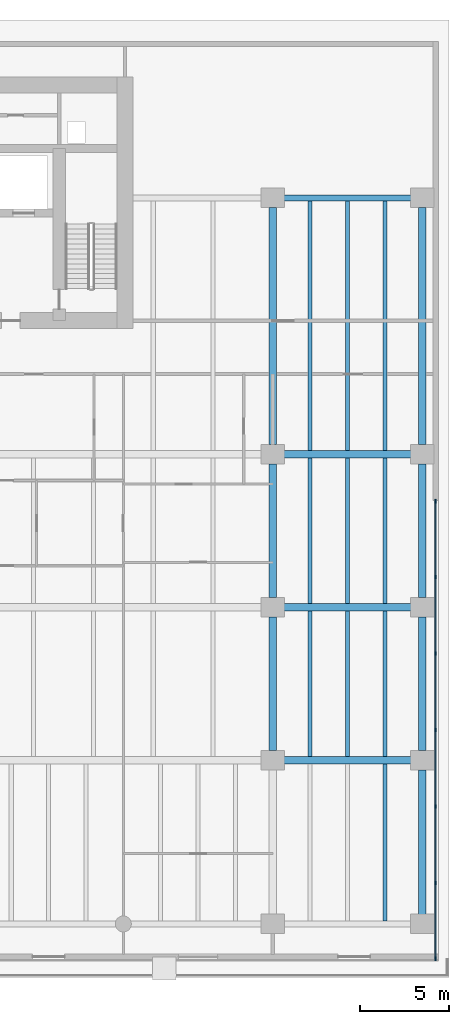
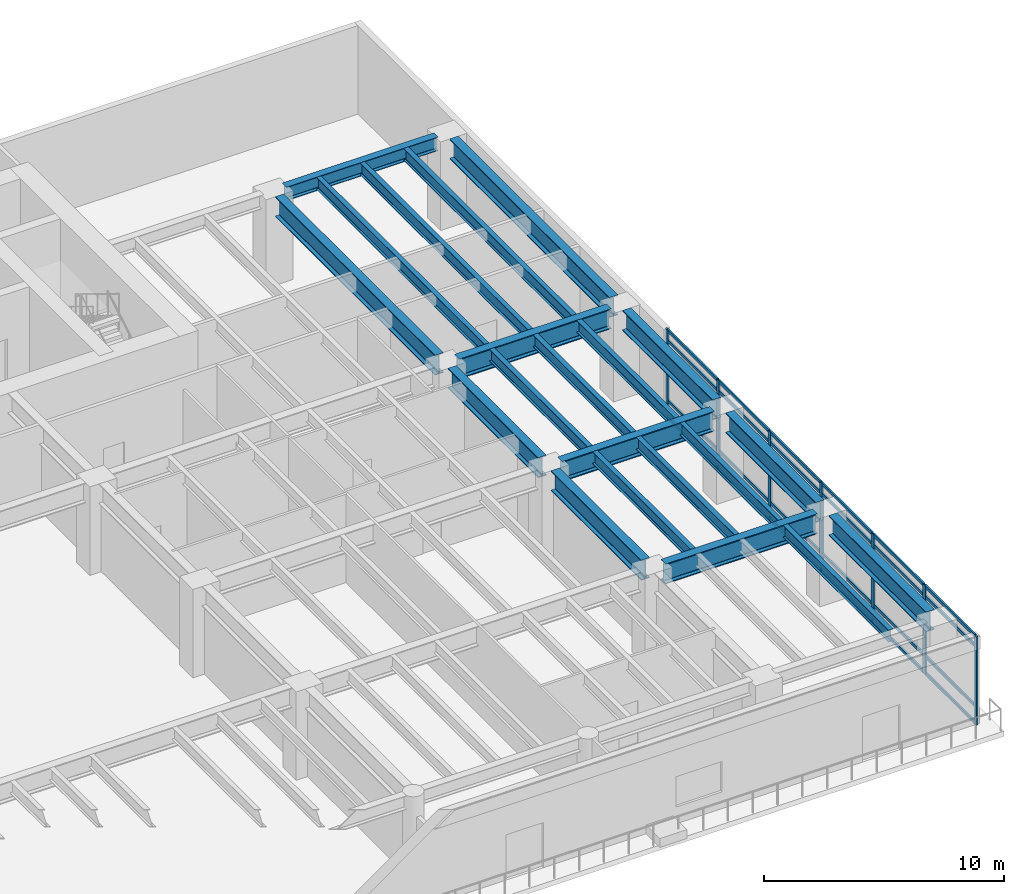
# One storey, part 4 of 17: 31 members, 21 beams, 1 element without a shape of its own.
"""IFC4 building model written with IfcOpenShell, lengths in metres."""

from ifc_helpers import new_model, si_unit, direction, frame, origin, origin_2d, place, context, subcontext, project, spatial, rectangle, i_section, extrude, material, layer, layer_set, material_profile, profile_set, type_object, element, aggregate, save


model = new_model("IFC4")

# Units and contexts
model_context = context("Model", 3, precision=1e-05, world=origin(), true_north=direction((0.0, 1.0)))
body_context = subcontext(model_context, "Body", "Model", "MODEL_VIEW")
ifc_project = project(units=[si_unit("LENGTHUNIT", "METRE"), si_unit("AREAUNIT", "SQUARE_METRE"), si_unit("VOLUMEUNIT", "CUBIC_METRE"), si_unit("PLANEANGLEUNIT", "RADIAN"), si_unit("MASSUNIT", "GRAM", prefix="KILO")], contexts=[model_context])

# Site, building, storey
site_placement = place(None, origin())
site = spatial("IfcSite", under=ifc_project, at=site_placement, CompositionType="ELEMENT")
building_placement = place(site_placement, origin())
building = spatial("IfcBuilding", under=site, at=building_placement, Name="Caelmar Bay Residences", CompositionType="ELEMENT")
storey_placement = place(building_placement, frame((0.0, 0.0, 10.199951171875)))
storey = spatial("IfcBuildingStorey", under=building, at=storey_placement, Name="L02", CompositionType="ELEMENT", Elevation=10.199951171875)

# Beams
ifc_material_1 = material(Name="Steel ASTM A992 Grade 50", Category="steel")
ifc_material_profile_1 = material_profile(ifc_material_1, i_section(OverallWidth=0.404052734375, OverallDepth=1.02099609375, WebThickness=0.025390625, FlangeThickness=0.0458984375, FilletRadius=0.02294921875, at=origin_2d()), Name="W40X324")
ifc_profile_set_1 = profile_set([ifc_material_profile_1], Name="Steel ASTM A992 Grade 50")
beam_type_1 = type_object("IfcBeamType", Name="BM-GRD-W40X324", PredefinedType="BEAM", material=ifc_profile_set_1)
for number, where, z_axis, x_axis, name in (
    (1, (68.43994140625, 12.199951171875, 3.989501953125), (1.0, 0.0, 0.0), (0.0, 1.0, 0.0), "L02 East-West Girder Y=12.20 (67.9-76.3)"),
    (2, (68.43994140625, 20.800048828125, 3.989501953125), (1.0, 0.0, 0.0), (0.0, 1.0, 0.0), "L02 East-West Girder Y=20.80 (67.9-76.3)"),
    (3, (68.43994140625, 29.39990234375, 3.989501953125), (1.0, 0.0, 0.0), (0.0, 1.0, 0.0), "L02 East-West Girder Y=29.40 (67.9-76.3)"),
):
    element("IfcBeam", number, at=place(storey_placement, frame(where, z_axis=z_axis, x_axis=x_axis)), inside=storey, type_object=beam_type_1, Name=name, PredefinedType="BEAM", context=body_context, shape_type="SweptSolid", body=[
        extrude(i_section(OverallWidth=0.404052734375, OverallDepth=1.02099609375, WebThickness=0.025390625, FlangeThickness=0.0458984375, FilletRadius=0.02294921875, at=origin_2d()), origin(), (0.0, 0.0, 1.0), 7.320068359375),
    ])
for number, where, z_axis, x_axis, name in (
    (4, (67.89990234375, 12.739990234375, 3.989501953125), (0.0, 1.0, 0.0), (-1.0, 0.0, 0.0), "L02 North-South Girder X=67.90 (12.2-20.8)"),
    (5, (67.89990234375, 21.340087890625, 3.989501953125), (0.0, 1.0, 0.0), (-1.0, 0.0, 0.0), "L02 North-South Girder X=67.90 (20.8-29.4)"),
):
    element("IfcBeam", number, at=place(storey_placement, frame(where, z_axis=z_axis, x_axis=x_axis)), inside=storey, type_object=beam_type_1, Name=name, PredefinedType="BEAM", context=body_context, shape_type="SweptSolid", body=[
        extrude(i_section(OverallWidth=0.404052734375, OverallDepth=1.02099609375, WebThickness=0.025390625, FlangeThickness=0.0458984375, FilletRadius=0.02294921875, at=origin_2d()), origin(), (0.0, 0.0, 1.0), 7.52001953125),
    ])
beam_1_placement = place(storey_placement, frame((67.89990234375, 29.93994140625, 3.989501953125), z_axis=(0.0, 1.0, 0.0), x_axis=(-1.0, 0.0, 0.0)))
element("IfcBeam", 6, at=beam_1_placement, inside=storey, type_object=beam_type_1, Name="L02 North-South Girder X=67.90 (29.4-43.8)", PredefinedType="BEAM", context=body_context, shape_type="SweptSolid", body=[
    extrude(i_section(OverallWidth=0.404052734375, OverallDepth=1.02099609375, WebThickness=0.025390625, FlangeThickness=0.0458984375, FilletRadius=0.02294921875, at=origin_2d()), origin(), (0.0, 0.0, 1.0), 13.320068359375),
])
beam_2_placement = place(storey_placement, frame((76.300048828125, 3.5400390625, 3.989501953125), z_axis=(0.0, 1.0, 0.0), x_axis=(-1.0, 0.0, 0.0)))
element("IfcBeam", 7, at=beam_2_placement, inside=storey, type_object=beam_type_1, Name="L02 North-South Girder X=76.30 (3.0-12.2)", PredefinedType="BEAM", context=body_context, shape_type="SweptSolid", body=[
    extrude(i_section(OverallWidth=0.404052734375, OverallDepth=1.02099609375, WebThickness=0.025390625, FlangeThickness=0.0458984375, FilletRadius=0.02294921875, at=origin_2d()), origin(), (0.0, 0.0, 1.0), 8.119873046875),
])
for number, where, z_axis, x_axis, name in (
    (8, (76.300048828125, 12.739990234375, 3.989501953125), (0.0, 1.0, 0.0), (-1.0, 0.0, 0.0), "L02 North-South Girder X=76.30 (12.2-20.8)"),
    (9, (76.300048828125, 21.340087890625, 3.989501953125), (0.0, 1.0, 0.0), (-1.0, 0.0, 0.0), "L02 North-South Girder X=76.30 (20.8-29.4)"),
):
    element("IfcBeam", number, at=place(storey_placement, frame(where, z_axis=z_axis, x_axis=x_axis)), inside=storey, type_object=beam_type_1, Name=name, PredefinedType="BEAM", context=body_context, shape_type="SweptSolid", body=[
        extrude(i_section(OverallWidth=0.404052734375, OverallDepth=1.02099609375, WebThickness=0.025390625, FlangeThickness=0.0458984375, FilletRadius=0.02294921875, at=origin_2d()), origin(), (0.0, 0.0, 1.0), 7.52001953125),
    ])
beam_3_placement = place(storey_placement, frame((76.300048828125, 29.93994140625, 3.989501953125), z_axis=(0.0, 1.0, 0.0), x_axis=(-1.0, 0.0, 0.0)))
element("IfcBeam", 10, at=beam_3_placement, inside=storey, type_object=beam_type_1, Name="L02 North-South Girder X=76.30 (29.4-43.8)", PredefinedType="BEAM", context=body_context, shape_type="SweptSolid", body=[
    extrude(i_section(OverallWidth=0.404052734375, OverallDepth=1.02099609375, WebThickness=0.025390625, FlangeThickness=0.0458984375, FilletRadius=0.02294921875, at=origin_2d()), origin(), (0.0, 0.0, 1.0), 13.320068359375),
])
ifc_material_profile_2 = material_profile(ifc_material_1, i_section(OverallWidth=0.22900390625, OverallDepth=0.612060546875, WebThickness=0.011962890625, FlangeThickness=0.01953125, FilletRadius=0.0126953125, at=origin_2d()), Name="W24X84")
ifc_profile_set_2 = profile_set([ifc_material_profile_2], Name="Steel ASTM A992 Grade 50")
beam_type_2 = type_object("IfcBeamType", Name="BM-JST-W24X84", PredefinedType="JOIST", material=ifc_profile_set_2)
beam_4_placement = place(storey_placement, frame((74.199951171875, 3.177978515625, 4.194091796875), z_axis=(0.0, 1.0, 0.0), x_axis=(-1.0, 0.0, 0.0)))
element("IfcBeam", 11, at=beam_4_placement, inside=storey, type_object=beam_type_2, Name="L02 Composite Floor Joist 27", PredefinedType="JOIST", context=body_context, shape_type="SweptSolid", body=[
    extrude(i_section(OverallWidth=0.22900390625, OverallDepth=0.612060546875, WebThickness=0.011962890625, FlangeThickness=0.01953125, FilletRadius=0.0126953125, at=origin_2d()), origin(), (0.0, 0.0, 1.0), 8.820068359375),
])
for number, where, z_axis, x_axis, name in (
    (12, (70.0, 12.402099609375, 4.194091796875), (0.0, 1.0, 0.0), (-1.0, 0.0, 0.0), "L02 Composite Floor Joist 39"),
    (13, (72.10009765625, 12.402099609375, 4.194091796875), (0.0, 1.0, 0.0), (-1.0, 0.0, 0.0), "L02 Composite Floor Joist 40"),
    (14, (74.199951171875, 12.402099609375, 4.194091796875), (0.0, 1.0, 0.0), (-1.0, 0.0, 0.0), "L02 Composite Floor Joist 41"),
):
    element("IfcBeam", number, at=place(storey_placement, frame(where, z_axis=z_axis, x_axis=x_axis)), inside=storey, type_object=beam_type_2, Name=name, PredefinedType="JOIST", context=body_context, shape_type="SweptSolid", body=[
        extrude(i_section(OverallWidth=0.22900390625, OverallDepth=0.612060546875, WebThickness=0.011962890625, FlangeThickness=0.01953125, FilletRadius=0.0126953125, at=origin_2d()), origin(), (0.0, 0.0, 1.0), 8.19580078125),
    ])
for number, where, z_axis, x_axis, name in (
    (15, (70.0, 21.001953125, 4.194091796875), (0.0, 1.0, 0.0), (-1.0, 0.0, 0.0), "L02 Composite Floor Joist 53"),
    (16, (72.10009765625, 21.001953125, 4.194091796875), (0.0, 1.0, 0.0), (-1.0, 0.0, 0.0), "L02 Composite Floor Joist 54"),
    (17, (74.199951171875, 21.001953125, 4.194091796875), (0.0, 1.0, 0.0), (-1.0, 0.0, 0.0), "L02 Composite Floor Joist 55"),
):
    element("IfcBeam", number, at=place(storey_placement, frame(where, z_axis=z_axis, x_axis=x_axis)), inside=storey, type_object=beam_type_2, Name=name, PredefinedType="JOIST", context=body_context, shape_type="SweptSolid", body=[
        extrude(i_section(OverallWidth=0.22900390625, OverallDepth=0.612060546875, WebThickness=0.011962890625, FlangeThickness=0.01953125, FilletRadius=0.0126953125, at=origin_2d()), origin(), (0.0, 0.0, 1.0), 8.196044921875),
    ])
for number, where, z_axis, x_axis, name in (
    (18, (70.0, 29.60205078125, 4.194091796875), (0.0, 1.0, 0.0), (-1.0, 0.0, 0.0), "L02 Composite Floor Joist 64"),
    (19, (72.10009765625, 29.60205078125, 4.194091796875), (0.0, 1.0, 0.0), (-1.0, 0.0, 0.0), "L02 Composite Floor Joist 65"),
    (20, (74.199951171875, 29.60205078125, 4.194091796875), (0.0, 1.0, 0.0), (-1.0, 0.0, 0.0), "L02 Composite Floor Joist 66"),
):
    element("IfcBeam", number, at=place(storey_placement, frame(where, z_axis=z_axis, x_axis=x_axis)), inside=storey, type_object=beam_type_2, Name=name, PredefinedType="JOIST", context=body_context, shape_type="SweptSolid", body=[
        extrude(i_section(OverallWidth=0.22900390625, OverallDepth=0.612060546875, WebThickness=0.011962890625, FlangeThickness=0.01953125, FilletRadius=0.0126953125, at=origin_2d()), origin(), (0.0, 0.0, 1.0), 14.02001953125),
    ])
ifc_material_profile_3 = material_profile(ifc_material_1, i_section(OverallWidth=0.35595703125, OverallDepth=0.696044921875, WebThickness=0.015380859375, FlangeThickness=0.02490234375, FilletRadius=0.01513671875, at=origin_2d()), Name="W27X146")
ifc_profile_set_3 = profile_set([ifc_material_profile_3], Name="Steel ASTM A992 Grade 50")
beam_type_3 = type_object("IfcBeamType", Name="BM-SPN-W27X146", PredefinedType="SPANDREL", material=ifc_profile_set_3)
beam_5_placement = place(storey_placement, frame((68.43994140625, 43.800048828125, 4.152099609375), z_axis=(1.0, 0.0, 0.0), x_axis=(0.0, 1.0, 0.0)))
element("IfcBeam", 21, at=beam_5_placement, inside=storey, type_object=beam_type_3, Name="L02 East-West Girder Y=43.80 (67.9-76.3)", PredefinedType="SPANDREL", context=body_context, shape_type="SweptSolid", body=[
    extrude(i_section(OverallWidth=0.35595703125, OverallDepth=0.696044921875, WebThickness=0.015380859375, FlangeThickness=0.02490234375, FilletRadius=0.01513671875, at=origin_2d()), origin(), (0.0, 0.0, 1.0), 7.320068359375),
])

# Curtain wall, members
ifc_material_2 = material(Name="Anodised bronze aluminium 6063-T6 and laminated glass", Category="aluminium")
ifc_layer = layer(ifc_material_2, 0.179931640625)
ifc_layer_set = layer_set([ifc_layer], Name="Anodised bronze aluminium 6063-T6 and laminated glass")
curtain_wall_type = type_object("IfcCurtainWallType", Name="CW1-POD", PredefinedType="NOTDEFINED", material=ifc_layer_set)
curtain_wall_placement = place(storey_placement, origin())
curtain_wall = element("IfcCurtainWall", 22, at=curtain_wall_placement, inside=storey, type_object=curtain_wall_type, Name="CW1 curtain wall L02", PredefinedType="NOTDEFINED")
ifc_material_3 = material(Name="Anodised bronze aluminium 6063-T6", Category="aluminium")
ifc_material_profile_4 = material_profile(ifc_material_3, rectangle(XDim=0.080078125, YDim=0.219970703125, at=origin_2d()), Name="CWM-80X220")
ifc_profile_set_4 = profile_set([ifc_material_profile_4], Name="Anodised bronze aluminium 6063-T6")
member_type_1 = type_object("IfcMemberType", Name="CWM-220", PredefinedType="MULLION", material=ifc_profile_set_4)
member_1_placement = place(storey_placement, frame((77.050048828125, 26.760009765625, 0.0), z_axis=(0.0, 0.0, 1.0), x_axis=(1.0, 0.0, 0.0)))
member_1 = element("IfcMember", 23, at=member_1_placement, type_object=member_type_1, Name="CW1 mullion 1", PredefinedType="MULLION", context=body_context, shape_type="SweptSolid", body=[
    extrude(rectangle(XDim=0.080078125, YDim=0.219970703125, at=origin_2d()), origin(), (0.0, 0.0, 1.0), 4.5),
])
member_2_placement = place(storey_placement, frame((77.050048828125, 22.5, 0.0), z_axis=(0.0, 0.0, 1.0), x_axis=(1.0, 0.0, 0.0)))
member_2 = element("IfcMember", 24, at=member_2_placement, type_object=member_type_1, Name="CW1 mullion 2", PredefinedType="MULLION", context=body_context, shape_type="SweptSolid", body=[
    extrude(rectangle(XDim=0.080078125, YDim=0.219970703125, at=origin_2d()), origin(), (0.0, 0.0, 1.0), 4.5),
])
member_3_placement = place(storey_placement, frame((77.050048828125, 18.199951171875, 0.0), z_axis=(0.0, 0.0, 1.0), x_axis=(1.0, 0.0, 0.0)))
member_3 = element("IfcMember", 25, at=member_3_placement, type_object=member_type_1, Name="CW1 mullion 3", PredefinedType="MULLION", context=body_context, shape_type="SweptSolid", body=[
    extrude(rectangle(XDim=0.080078125, YDim=0.219970703125, at=origin_2d()), origin(), (0.0, 0.0, 1.0), 4.5),
])
member_4_placement = place(storey_placement, frame((77.050048828125, 13.89990234375, 0.0), z_axis=(0.0, 0.0, 1.0), x_axis=(1.0, 0.0, 0.0)))
member_4 = element("IfcMember", 26, at=member_4_placement, type_object=member_type_1, Name="CW1 mullion 4", PredefinedType="MULLION", context=body_context, shape_type="SweptSolid", body=[
    extrude(rectangle(XDim=0.080078125, YDim=0.219970703125, at=origin_2d()), origin(), (0.0, 0.0, 1.0), 4.5),
])
member_5_placement = place(storey_placement, frame((77.050048828125, 9.60009765625, 0.0), z_axis=(0.0, 0.0, 1.0), x_axis=(1.0, 0.0, 0.0)))
member_5 = element("IfcMember", 27, at=member_5_placement, type_object=member_type_1, Name="CW1 mullion 5", PredefinedType="MULLION", context=body_context, shape_type="SweptSolid", body=[
    extrude(rectangle(XDim=0.080078125, YDim=0.219970703125, at=origin_2d()), origin(), (0.0, 0.0, 1.0), 4.5),
])
member_6_placement = place(storey_placement, frame((77.050048828125, 5.300048828125, 0.0), z_axis=(0.0, 0.0, 1.0), x_axis=(1.0, 0.0, 0.0)))
member_6 = element("IfcMember", 28, at=member_6_placement, type_object=member_type_1, Name="CW1 mullion 6", PredefinedType="MULLION", context=body_context, shape_type="SweptSolid", body=[
    extrude(rectangle(XDim=0.080078125, YDim=0.219970703125, at=origin_2d()), origin(), (0.0, 0.0, 1.0), 4.5),
])
member_7_placement = place(storey_placement, frame((77.050048828125, 1.0400390625, 0.0), z_axis=(0.0, 0.0, 1.0), x_axis=(1.0, 0.0, 0.0)))
member_7 = element("IfcMember", 29, at=member_7_placement, type_object=member_type_1, Name="CW1 mullion 7", PredefinedType="MULLION", context=body_context, shape_type="SweptSolid", body=[
    extrude(rectangle(XDim=0.080078125, YDim=0.219970703125, at=origin_2d()), origin(), (0.0, 0.0, 1.0), 4.5),
])
ifc_material_profile_5 = material_profile(ifc_material_3, rectangle(XDim=0.080078125, YDim=0.159912109375, at=origin_2d()), Name="CWT-80X160")
ifc_profile_set_5 = profile_set([ifc_material_profile_5], Name="Anodised bronze aluminium 6063-T6")
member_type_2 = type_object("IfcMemberType", Name="CWT-160", PredefinedType="NOTDEFINED", material=ifc_profile_set_5)
member_8_placement = place(storey_placement, frame((77.050048828125, 26.719970703125, 0.0400390625), z_axis=(0.0, -1.0, 0.0), x_axis=(1.0, 0.0, 0.0)))
member_8 = element("IfcMember", 30, at=member_8_placement, type_object=member_type_2, Name="CW1 transom 1.1", ObjectType="TRANSOM", PredefinedType="USERDEFINED", context=body_context, shape_type="SweptSolid", body=[
    extrude(rectangle(XDim=0.080078125, YDim=0.159912109375, at=origin_2d()), origin(), (0.0, 0.0, 1.0), 4.179931640625),
])
member_9_placement = place(storey_placement, frame((77.050048828125, 26.719970703125, 0.900146484375), z_axis=(0.0, -1.0, 0.0), x_axis=(1.0, 0.0, 0.0)))
member_9 = element("IfcMember", 31, at=member_9_placement, type_object=member_type_2, Name="CW1 transom 1.2", ObjectType="TRANSOM", PredefinedType="USERDEFINED", context=body_context, shape_type="SweptSolid", body=[
    extrude(rectangle(XDim=0.080078125, YDim=0.159912109375, at=origin_2d()), origin(), (0.0, 0.0, 1.0), 4.179931640625),
])
member_10_placement = place(storey_placement, frame((77.050048828125, 26.719970703125, 3.949951171875), z_axis=(0.0, -1.0, 0.0), x_axis=(1.0, 0.0, 0.0)))
member_10 = element("IfcMember", 32, at=member_10_placement, type_object=member_type_2, Name="CW1 transom 1.3", ObjectType="TRANSOM", PredefinedType="USERDEFINED", context=body_context, shape_type="SweptSolid", body=[
    extrude(rectangle(XDim=0.080078125, YDim=0.159912109375, at=origin_2d()), origin(), (0.0, 0.0, 1.0), 4.179931640625),
])
member_11_placement = place(storey_placement, frame((77.050048828125, 26.719970703125, 4.4599609375), z_axis=(0.0, -1.0, 0.0), x_axis=(1.0, 0.0, 0.0)))
member_11 = element("IfcMember", 33, at=member_11_placement, type_object=member_type_2, Name="CW1 transom 1.4", ObjectType="TRANSOM", PredefinedType="USERDEFINED", context=body_context, shape_type="SweptSolid", body=[
    extrude(rectangle(XDim=0.080078125, YDim=0.159912109375, at=origin_2d()), origin(), (0.0, 0.0, 1.0), 4.179931640625),
])
member_12_placement = place(storey_placement, frame((77.050048828125, 22.4599609375, 0.0400390625), z_axis=(0.0, -1.0, 0.0), x_axis=(1.0, 0.0, 0.0)))
member_12 = element("IfcMember", 34, at=member_12_placement, type_object=member_type_2, Name="CW1 transom 2.1", ObjectType="TRANSOM", PredefinedType="USERDEFINED", context=body_context, shape_type="SweptSolid", body=[
    extrude(rectangle(XDim=0.080078125, YDim=0.159912109375, at=origin_2d()), origin(), (0.0, 0.0, 1.0), 4.219970703125),
])
member_13_placement = place(storey_placement, frame((77.050048828125, 22.4599609375, 0.900146484375), z_axis=(0.0, -1.0, 0.0), x_axis=(1.0, 0.0, 0.0)))
member_13 = element("IfcMember", 35, at=member_13_placement, type_object=member_type_2, Name="CW1 transom 2.2", ObjectType="TRANSOM", PredefinedType="USERDEFINED", context=body_context, shape_type="SweptSolid", body=[
    extrude(rectangle(XDim=0.080078125, YDim=0.159912109375, at=origin_2d()), origin(), (0.0, 0.0, 1.0), 4.219970703125),
])
member_14_placement = place(storey_placement, frame((77.050048828125, 22.4599609375, 3.949951171875), z_axis=(0.0, -1.0, 0.0), x_axis=(1.0, 0.0, 0.0)))
member_14 = element("IfcMember", 36, at=member_14_placement, type_object=member_type_2, Name="CW1 transom 2.3", ObjectType="TRANSOM", PredefinedType="USERDEFINED", context=body_context, shape_type="SweptSolid", body=[
    extrude(rectangle(XDim=0.080078125, YDim=0.159912109375, at=origin_2d()), origin(), (0.0, 0.0, 1.0), 4.219970703125),
])
member_15_placement = place(storey_placement, frame((77.050048828125, 22.4599609375, 4.4599609375), z_axis=(0.0, -1.0, 0.0), x_axis=(1.0, 0.0, 0.0)))
member_15 = element("IfcMember", 37, at=member_15_placement, type_object=member_type_2, Name="CW1 transom 2.4", ObjectType="TRANSOM", PredefinedType="USERDEFINED", context=body_context, shape_type="SweptSolid", body=[
    extrude(rectangle(XDim=0.080078125, YDim=0.159912109375, at=origin_2d()), origin(), (0.0, 0.0, 1.0), 4.219970703125),
])
member_16_placement = place(storey_placement, frame((77.050048828125, 18.159912109375, 0.0400390625), z_axis=(0.0, -1.0, 0.0), x_axis=(1.0, 0.0, 0.0)))
member_16 = element("IfcMember", 38, at=member_16_placement, type_object=member_type_2, Name="CW1 transom 3.1", ObjectType="TRANSOM", PredefinedType="USERDEFINED", context=body_context, shape_type="SweptSolid", body=[
    extrude(rectangle(XDim=0.080078125, YDim=0.159912109375, at=origin_2d()), origin(), (0.0, 0.0, 1.0), 4.219970703125),
])
member_17_placement = place(storey_placement, frame((77.050048828125, 18.159912109375, 0.900146484375), z_axis=(0.0, -1.0, 0.0), x_axis=(1.0, 0.0, 0.0)))
member_17 = element("IfcMember", 39, at=member_17_placement, type_object=member_type_2, Name="CW1 transom 3.2", ObjectType="TRANSOM", PredefinedType="USERDEFINED", context=body_context, shape_type="SweptSolid", body=[
    extrude(rectangle(XDim=0.080078125, YDim=0.159912109375, at=origin_2d()), origin(), (0.0, 0.0, 1.0), 4.219970703125),
])
member_18_placement = place(storey_placement, frame((77.050048828125, 18.159912109375, 3.949951171875), z_axis=(0.0, -1.0, 0.0), x_axis=(1.0, 0.0, 0.0)))
member_18 = element("IfcMember", 40, at=member_18_placement, type_object=member_type_2, Name="CW1 transom 3.3", ObjectType="TRANSOM", PredefinedType="USERDEFINED", context=body_context, shape_type="SweptSolid", body=[
    extrude(rectangle(XDim=0.080078125, YDim=0.159912109375, at=origin_2d()), origin(), (0.0, 0.0, 1.0), 4.219970703125),
])
member_19_placement = place(storey_placement, frame((77.050048828125, 18.159912109375, 4.4599609375), z_axis=(0.0, -1.0, 0.0), x_axis=(1.0, 0.0, 0.0)))
member_19 = element("IfcMember", 41, at=member_19_placement, type_object=member_type_2, Name="CW1 transom 3.4", ObjectType="TRANSOM", PredefinedType="USERDEFINED", context=body_context, shape_type="SweptSolid", body=[
    extrude(rectangle(XDim=0.080078125, YDim=0.159912109375, at=origin_2d()), origin(), (0.0, 0.0, 1.0), 4.219970703125),
])
member_20_placement = place(storey_placement, frame((77.050048828125, 13.860107421875, 0.0400390625), z_axis=(0.0, -1.0, 0.0), x_axis=(1.0, 0.0, 0.0)))
member_20 = element("IfcMember", 42, at=member_20_placement, type_object=member_type_2, Name="CW1 transom 4.1", ObjectType="TRANSOM", PredefinedType="USERDEFINED", context=body_context, shape_type="SweptSolid", body=[
    extrude(rectangle(XDim=0.080078125, YDim=0.159912109375, at=origin_2d()), origin(), (0.0, 0.0, 1.0), 4.22021484375),
])
member_21_placement = place(storey_placement, frame((77.050048828125, 13.860107421875, 0.900146484375), z_axis=(0.0, -1.0, 0.0), x_axis=(1.0, 0.0, 0.0)))
member_21 = element("IfcMember", 43, at=member_21_placement, type_object=member_type_2, Name="CW1 transom 4.2", ObjectType="TRANSOM", PredefinedType="USERDEFINED", context=body_context, shape_type="SweptSolid", body=[
    extrude(rectangle(XDim=0.080078125, YDim=0.159912109375, at=origin_2d()), origin(), (0.0, 0.0, 1.0), 4.22021484375),
])
member_22_placement = place(storey_placement, frame((77.050048828125, 13.860107421875, 3.949951171875), z_axis=(0.0, -1.0, 0.0), x_axis=(1.0, 0.0, 0.0)))
member_22 = element("IfcMember", 44, at=member_22_placement, type_object=member_type_2, Name="CW1 transom 4.3", ObjectType="TRANSOM", PredefinedType="USERDEFINED", context=body_context, shape_type="SweptSolid", body=[
    extrude(rectangle(XDim=0.080078125, YDim=0.159912109375, at=origin_2d()), origin(), (0.0, 0.0, 1.0), 4.22021484375),
])
member_23_placement = place(storey_placement, frame((77.050048828125, 13.860107421875, 4.4599609375), z_axis=(0.0, -1.0, 0.0), x_axis=(1.0, 0.0, 0.0)))
member_23 = element("IfcMember", 45, at=member_23_placement, type_object=member_type_2, Name="CW1 transom 4.4", ObjectType="TRANSOM", PredefinedType="USERDEFINED", context=body_context, shape_type="SweptSolid", body=[
    extrude(rectangle(XDim=0.080078125, YDim=0.159912109375, at=origin_2d()), origin(), (0.0, 0.0, 1.0), 4.22021484375),
])
member_24_placement = place(storey_placement, frame((77.050048828125, 9.56005859375, 0.0400390625), z_axis=(0.0, -1.0, 0.0), x_axis=(1.0, 0.0, 0.0)))
member_24 = element("IfcMember", 46, at=member_24_placement, type_object=member_type_2, Name="CW1 transom 5.1", ObjectType="TRANSOM", PredefinedType="USERDEFINED", context=body_context, shape_type="SweptSolid", body=[
    extrude(rectangle(XDim=0.080078125, YDim=0.159912109375, at=origin_2d()), origin(), (0.0, 0.0, 1.0), 4.219970703125),
])
member_25_placement = place(storey_placement, frame((77.050048828125, 9.56005859375, 0.900146484375), z_axis=(0.0, -1.0, 0.0), x_axis=(1.0, 0.0, 0.0)))
member_25 = element("IfcMember", 47, at=member_25_placement, type_object=member_type_2, Name="CW1 transom 5.2", ObjectType="TRANSOM", PredefinedType="USERDEFINED", context=body_context, shape_type="SweptSolid", body=[
    extrude(rectangle(XDim=0.080078125, YDim=0.159912109375, at=origin_2d()), origin(), (0.0, 0.0, 1.0), 4.219970703125),
])
member_26_placement = place(storey_placement, frame((77.050048828125, 9.56005859375, 3.949951171875), z_axis=(0.0, -1.0, 0.0), x_axis=(1.0, 0.0, 0.0)))
member_26 = element("IfcMember", 48, at=member_26_placement, type_object=member_type_2, Name="CW1 transom 5.3", ObjectType="TRANSOM", PredefinedType="USERDEFINED", context=body_context, shape_type="SweptSolid", body=[
    extrude(rectangle(XDim=0.080078125, YDim=0.159912109375, at=origin_2d()), origin(), (0.0, 0.0, 1.0), 4.219970703125),
])
member_27_placement = place(storey_placement, frame((77.050048828125, 9.56005859375, 4.4599609375), z_axis=(0.0, -1.0, 0.0), x_axis=(1.0, 0.0, 0.0)))
member_27 = element("IfcMember", 49, at=member_27_placement, type_object=member_type_2, Name="CW1 transom 5.4", ObjectType="TRANSOM", PredefinedType="USERDEFINED", context=body_context, shape_type="SweptSolid", body=[
    extrude(rectangle(XDim=0.080078125, YDim=0.159912109375, at=origin_2d()), origin(), (0.0, 0.0, 1.0), 4.219970703125),
])
member_28_placement = place(storey_placement, frame((77.050048828125, 5.260009765625, 0.0400390625), z_axis=(0.0, -1.0, 0.0), x_axis=(1.0, 0.0, 0.0)))
member_28 = element("IfcMember", 50, at=member_28_placement, type_object=member_type_2, Name="CW1 transom 6.1", ObjectType="TRANSOM", PredefinedType="USERDEFINED", context=body_context, shape_type="SweptSolid", body=[
    extrude(rectangle(XDim=0.080078125, YDim=0.159912109375, at=origin_2d()), origin(), (0.0, 0.0, 1.0), 4.179931640625),
])
member_29_placement = place(storey_placement, frame((77.050048828125, 5.260009765625, 0.900146484375), z_axis=(0.0, -1.0, 0.0), x_axis=(1.0, 0.0, 0.0)))
member_29 = element("IfcMember", 51, at=member_29_placement, type_object=member_type_2, Name="CW1 transom 6.2", ObjectType="TRANSOM", PredefinedType="USERDEFINED", context=body_context, shape_type="SweptSolid", body=[
    extrude(rectangle(XDim=0.080078125, YDim=0.159912109375, at=origin_2d()), origin(), (0.0, 0.0, 1.0), 4.179931640625),
])
member_30_placement = place(storey_placement, frame((77.050048828125, 5.260009765625, 3.949951171875), z_axis=(0.0, -1.0, 0.0), x_axis=(1.0, 0.0, 0.0)))
member_30 = element("IfcMember", 52, at=member_30_placement, type_object=member_type_2, Name="CW1 transom 6.3", ObjectType="TRANSOM", PredefinedType="USERDEFINED", context=body_context, shape_type="SweptSolid", body=[
    extrude(rectangle(XDim=0.080078125, YDim=0.159912109375, at=origin_2d()), origin(), (0.0, 0.0, 1.0), 4.179931640625),
])
member_31_placement = place(storey_placement, frame((77.050048828125, 5.260009765625, 4.4599609375), z_axis=(0.0, -1.0, 0.0), x_axis=(1.0, 0.0, 0.0)))
member_31 = element("IfcMember", 53, at=member_31_placement, type_object=member_type_2, Name="CW1 transom 6.4", ObjectType="TRANSOM", PredefinedType="USERDEFINED", context=body_context, shape_type="SweptSolid", body=[
    extrude(rectangle(XDim=0.080078125, YDim=0.159912109375, at=origin_2d()), origin(), (0.0, 0.0, 1.0), 4.179931640625),
])
aggregate(curtain_wall, [member_1, member_2, member_3, member_4, member_5, member_6, member_7, member_8, member_9, member_10, member_11, member_12, member_13, member_14, member_15, member_16, member_17, member_18, member_19, member_20, member_21, member_22, member_23, member_24, member_25, member_26, member_27, member_28, member_29, member_30, member_31])

save(model, "model.ifc")
